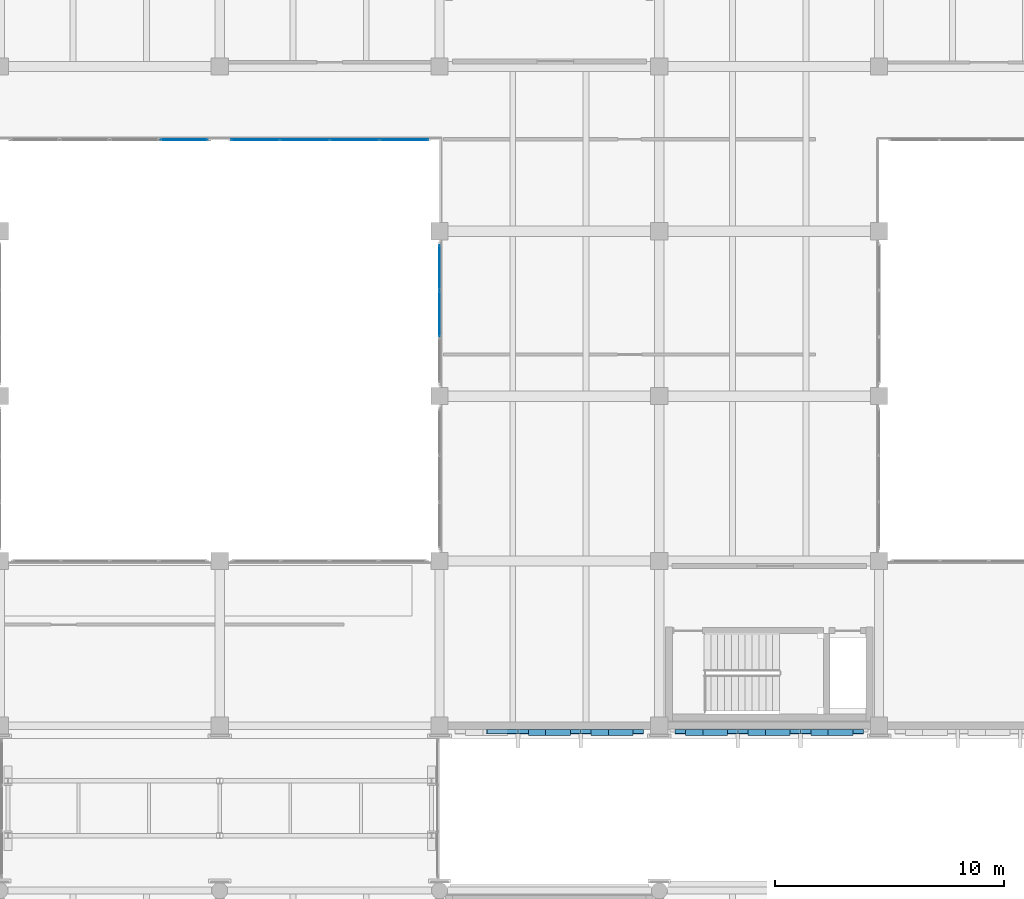
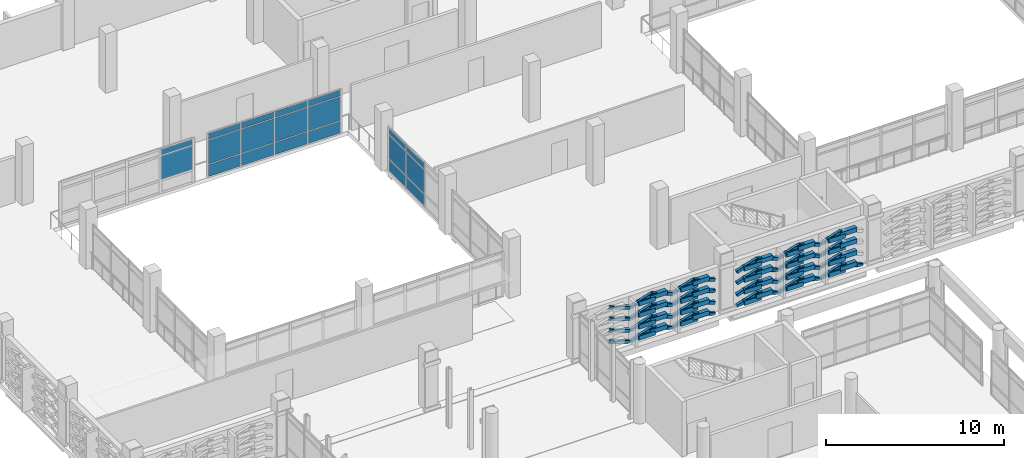
# One storey, part 132 of 180: 101 plates, 3 elements without a shape of their own.
"""IFC4 building model written with IfcOpenShell, lengths in metres."""

from ifc_helpers import new_model, si_unit, direction, frame, origin, origin_2d, place, context, subcontext, project, spatial, rectangle, hollow_rectangle, extrude, material, layer, layer_set, material_profile, profile_set, type_object, element, aggregate, save


model = new_model("IFC4")

# Units and contexts
model_context = context("Model", 3, precision=1e-05, world=origin(), true_north=direction((0.0, 1.0)))
body_context = subcontext(model_context, "Body", "Model", "MODEL_VIEW")
ifc_project = project(units=[si_unit("LENGTHUNIT", "METRE"), si_unit("AREAUNIT", "SQUARE_METRE"), si_unit("VOLUMEUNIT", "CUBIC_METRE"), si_unit("PLANEANGLEUNIT", "RADIAN"), si_unit("MASSUNIT", "GRAM", prefix="KILO")], contexts=[model_context])

# Site, building, storey
site_placement = place(None, origin())
site = spatial("IfcSite", under=ifc_project, at=site_placement, CompositionType="ELEMENT")
building_placement = place(site_placement, origin())
building = spatial("IfcBuilding", under=site, at=building_placement, Name="Asteropetra Specialist Clinic", CompositionType="ELEMENT")
storey_placement = place(building_placement, frame((0.0, 0.0, 4.419921875)))
storey = spatial("IfcBuildingStorey", under=building, at=storey_placement, Name="L01", CompositionType="ELEMENT", Elevation=4.419921875)

# Plates
ifc_material_1 = material(Name="Chevron emerald aluminium 6063-T6", Category="aluminium")
ifc_material_profile = material_profile(ifc_material_1, hollow_rectangle(XDim=0.199951171875, YDim=0.199951171875, WallThickness=0.010009765625, InnerFilletRadius=0.008056640625, OuterFilletRadius=0.01611328125, at=origin_2d()), Name="SHS 200x200x10.0")
ifc_profile_set = profile_set([ifc_material_profile], Name="Chevron emerald aluminium 6063-T6")
plate_type_1 = type_object("IfcPlateType", Name="CHV-RIB-200", PredefinedType="SHEET", material=ifc_profile_set)
for number, where, z_axis, x_axis, name in (
    (1, (30.86328125, 69.347900390625, 0.4814453125), (0.95244216645, 0.0, -0.304719411211), (0.0, 1.0, 0.0), "Chevron Facade Screen Fin CVR-0444"),
    (2, (30.86328125, 69.347900390625, 1.25146484375), (0.95244216645, 0.0, -0.304719411211), (0.0, 1.0, 0.0), "Chevron Facade Screen Fin CVR-0446"),
    (3, (30.86328125, 69.347900390625, 2.051513671875), (0.95244216645, 0.0, -0.304719411211), (0.0, 1.0, 0.0), "Chevron Facade Screen Fin CVR-0448"),
    (4, (30.86328125, 69.347900390625, 2.83154296875), (0.95244216645, 0.0, -0.304719411211), (0.0, 1.0, 0.0), "Chevron Facade Screen Fin CVR-0450"),
    (5, (32.251708984375, 69.347900390625, 0.050048828125), (0.95244216645, 0.0, 0.304719411211), (0.0, 1.0, 0.0), "Chevron Facade Screen Fin CVR-0451"),
):
    element("IfcPlate", number, at=place(storey_placement, frame(where, z_axis=z_axis, x_axis=x_axis)), inside=storey, type_object=plate_type_1, Name=name, PredefinedType="SHEET", context=body_context, shape_type="SweptSolid", body=[
        extrude(hollow_rectangle(XDim=0.199951171875, YDim=0.199951171875, WallThickness=0.010009765625, InnerFilletRadius=0.008056640625, OuterFilletRadius=0.01611328125, at=origin_2d()), origin(), (0.0, 0.0, 1.0), 1.415771484375),
    ])
plate_1_placement = place(storey_placement, frame((33.60009765625, 69.347900390625, 0.4814453125), z_axis=(0.952426149832, 0.0, -0.304769468807), x_axis=(0.0, 1.0, 0.0)))
element("IfcPlate", 6, at=plate_1_placement, inside=storey, type_object=plate_type_1, Name="Chevron Facade Screen Fin CVR-0452", PredefinedType="SHEET", context=body_context, shape_type="SweptSolid", body=[
    extrude(hollow_rectangle(XDim=0.199951171875, YDim=0.199951171875, WallThickness=0.010009765625, InnerFilletRadius=0.008056640625, OuterFilletRadius=0.01611328125, at=origin_2d()), origin(), (0.0, 0.0, 1.0), 1.41552734375),
])
plate_2_placement = place(storey_placement, frame((32.251708984375, 69.347900390625, 0.820068359375), z_axis=(0.95244216645, 0.0, 0.304719411211), x_axis=(0.0, 1.0, 0.0)))
element("IfcPlate", 7, at=plate_2_placement, inside=storey, type_object=plate_type_1, Name="Chevron Facade Screen Fin CVR-0453", PredefinedType="SHEET", context=body_context, shape_type="SweptSolid", body=[
    extrude(hollow_rectangle(XDim=0.199951171875, YDim=0.199951171875, WallThickness=0.010009765625, InnerFilletRadius=0.008056640625, OuterFilletRadius=0.01611328125, at=origin_2d()), origin(), (0.0, 0.0, 1.0), 1.415771484375),
])
plate_3_placement = place(storey_placement, frame((33.60009765625, 69.347900390625, 1.25146484375), z_axis=(0.952426149832, 0.0, -0.304769468807), x_axis=(0.0, 1.0, 0.0)))
element("IfcPlate", 8, at=plate_3_placement, inside=storey, type_object=plate_type_1, Name="Chevron Facade Screen Fin CVR-0454", PredefinedType="SHEET", context=body_context, shape_type="SweptSolid", body=[
    extrude(hollow_rectangle(XDim=0.199951171875, YDim=0.199951171875, WallThickness=0.010009765625, InnerFilletRadius=0.008056640625, OuterFilletRadius=0.01611328125, at=origin_2d()), origin(), (0.0, 0.0, 1.0), 1.41552734375),
])
plate_4_placement = place(storey_placement, frame((32.251708984375, 69.347900390625, 1.6201171875), z_axis=(0.95244216645, 0.0, 0.304719411211), x_axis=(0.0, 1.0, 0.0)))
element("IfcPlate", 9, at=plate_4_placement, inside=storey, type_object=plate_type_1, Name="Chevron Facade Screen Fin CVR-0455", PredefinedType="SHEET", context=body_context, shape_type="SweptSolid", body=[
    extrude(hollow_rectangle(XDim=0.199951171875, YDim=0.199951171875, WallThickness=0.010009765625, InnerFilletRadius=0.008056640625, OuterFilletRadius=0.01611328125, at=origin_2d()), origin(), (0.0, 0.0, 1.0), 1.415771484375),
])
plate_5_placement = place(storey_placement, frame((33.60009765625, 69.347900390625, 2.051513671875), z_axis=(0.952426149832, 0.0, -0.304769468807), x_axis=(0.0, 1.0, 0.0)))
element("IfcPlate", 10, at=plate_5_placement, inside=storey, type_object=plate_type_1, Name="Chevron Facade Screen Fin CVR-0456", PredefinedType="SHEET", context=body_context, shape_type="SweptSolid", body=[
    extrude(hollow_rectangle(XDim=0.199951171875, YDim=0.199951171875, WallThickness=0.010009765625, InnerFilletRadius=0.008056640625, OuterFilletRadius=0.01611328125, at=origin_2d()), origin(), (0.0, 0.0, 1.0), 1.41552734375),
])
plate_6_placement = place(storey_placement, frame((32.251708984375, 69.347900390625, 2.400146484375), z_axis=(0.95244216645, 0.0, 0.304719411211), x_axis=(0.0, 1.0, 0.0)))
element("IfcPlate", 11, at=plate_6_placement, inside=storey, type_object=plate_type_1, Name="Chevron Facade Screen Fin CVR-0457", PredefinedType="SHEET", context=body_context, shape_type="SweptSolid", body=[
    extrude(hollow_rectangle(XDim=0.199951171875, YDim=0.199951171875, WallThickness=0.010009765625, InnerFilletRadius=0.008056640625, OuterFilletRadius=0.01611328125, at=origin_2d()), origin(), (0.0, 0.0, 1.0), 1.415771484375),
])
plate_7_placement = place(storey_placement, frame((33.60009765625, 69.347900390625, 2.83154296875), z_axis=(0.952426149832, 0.0, -0.304769468807), x_axis=(0.0, 1.0, 0.0)))
element("IfcPlate", 12, at=plate_7_placement, inside=storey, type_object=plate_type_1, Name="Chevron Facade Screen Fin CVR-0458", PredefinedType="SHEET", context=body_context, shape_type="SweptSolid", body=[
    extrude(hollow_rectangle(XDim=0.199951171875, YDim=0.199951171875, WallThickness=0.010009765625, InnerFilletRadius=0.008056640625, OuterFilletRadius=0.01611328125, at=origin_2d()), origin(), (0.0, 0.0, 1.0), 1.41552734375),
])
for number, where, z_axis, x_axis, name in (
    (13, (34.98828125, 69.347900390625, 0.050048828125), (0.95244216645, 0.0, 0.304719411211), (0.0, 1.0, 0.0), "Chevron Facade Screen Fin CVR-0459"),
    (14, (36.336669921875, 69.347900390625, 0.4814453125), (0.95244216645, 0.0, -0.304719411211), (0.0, 1.0, 0.0), "Chevron Facade Screen Fin CVR-0460"),
    (15, (34.98828125, 69.347900390625, 0.820068359375), (0.95244216645, 0.0, 0.304719411211), (0.0, 1.0, 0.0), "Chevron Facade Screen Fin CVR-0461"),
    (16, (36.336669921875, 69.347900390625, 1.25146484375), (0.95244216645, 0.0, -0.304719411211), (0.0, 1.0, 0.0), "Chevron Facade Screen Fin CVR-0462"),
    (17, (34.98828125, 69.347900390625, 1.6201171875), (0.95244216645, 0.0, 0.304719411211), (0.0, 1.0, 0.0), "Chevron Facade Screen Fin CVR-0463"),
    (18, (36.336669921875, 69.347900390625, 2.051513671875), (0.95244216645, 0.0, -0.304719411211), (0.0, 1.0, 0.0), "Chevron Facade Screen Fin CVR-0464"),
    (19, (34.98828125, 69.347900390625, 2.400146484375), (0.95244216645, 0.0, 0.304719411211), (0.0, 1.0, 0.0), "Chevron Facade Screen Fin CVR-0465"),
    (20, (36.336669921875, 69.347900390625, 2.83154296875), (0.95244216645, 0.0, -0.304719411211), (0.0, 1.0, 0.0), "Chevron Facade Screen Fin CVR-0466"),
    (21, (39.114990234375, 69.347900390625, 0.050048828125), (0.95244216645, 0.0, 0.304719411211), (0.0, 1.0, 0.0), "Chevron Facade Screen Fin CVR-0483"),
    (22, (40.46337890625, 69.347900390625, 0.4814453125), (0.95244216645, 0.0, -0.304719411211), (0.0, 1.0, 0.0), "Chevron Facade Screen Fin CVR-0484"),
    (23, (39.114990234375, 69.347900390625, 0.820068359375), (0.95244216645, 0.0, 0.304719411211), (0.0, 1.0, 0.0), "Chevron Facade Screen Fin CVR-0485"),
    (24, (40.46337890625, 69.347900390625, 1.25146484375), (0.95244216645, 0.0, -0.304719411211), (0.0, 1.0, 0.0), "Chevron Facade Screen Fin CVR-0486"),
    (25, (39.114990234375, 69.347900390625, 1.6201171875), (0.95244216645, 0.0, 0.304719411211), (0.0, 1.0, 0.0), "Chevron Facade Screen Fin CVR-0487"),
    (26, (40.46337890625, 69.347900390625, 2.051513671875), (0.95244216645, 0.0, -0.304719411211), (0.0, 1.0, 0.0), "Chevron Facade Screen Fin CVR-0488"),
    (27, (39.114990234375, 69.347900390625, 2.400146484375), (0.95244216645, 0.0, 0.304719411211), (0.0, 1.0, 0.0), "Chevron Facade Screen Fin CVR-0489"),
    (28, (40.46337890625, 69.347900390625, 2.83154296875), (0.95244216645, 0.0, -0.304719411211), (0.0, 1.0, 0.0), "Chevron Facade Screen Fin CVR-0490"),
):
    element("IfcPlate", number, at=place(storey_placement, frame(where, z_axis=z_axis, x_axis=x_axis)), inside=storey, type_object=plate_type_1, Name=name, PredefinedType="SHEET", context=body_context, shape_type="SweptSolid", body=[
        extrude(hollow_rectangle(XDim=0.199951171875, YDim=0.199951171875, WallThickness=0.010009765625, InnerFilletRadius=0.008056640625, OuterFilletRadius=0.01611328125, at=origin_2d()), origin(), (0.0, 0.0, 1.0), 1.415771484375),
    ])
plate_8_placement = place(storey_placement, frame((41.851806640625, 69.347900390625, 0.050048828125), z_axis=(0.952426149832, 0.0, 0.304769468807), x_axis=(0.0, 1.0, 0.0)))
element("IfcPlate", 29, at=plate_8_placement, inside=storey, type_object=plate_type_1, Name="Chevron Facade Screen Fin CVR-0491", PredefinedType="SHEET", context=body_context, shape_type="SweptSolid", body=[
    extrude(hollow_rectangle(XDim=0.199951171875, YDim=0.199951171875, WallThickness=0.010009765625, InnerFilletRadius=0.008056640625, OuterFilletRadius=0.01611328125, at=origin_2d()), origin(), (0.0, 0.0, 1.0), 1.41552734375),
])
plate_9_placement = place(storey_placement, frame((43.199951171875, 69.347900390625, 0.4814453125), z_axis=(0.95244216645, 0.0, -0.304719411211), x_axis=(0.0, 1.0, 0.0)))
element("IfcPlate", 30, at=plate_9_placement, inside=storey, type_object=plate_type_1, Name="Chevron Facade Screen Fin CVR-0492", PredefinedType="SHEET", context=body_context, shape_type="SweptSolid", body=[
    extrude(hollow_rectangle(XDim=0.199951171875, YDim=0.199951171875, WallThickness=0.010009765625, InnerFilletRadius=0.008056640625, OuterFilletRadius=0.01611328125, at=origin_2d()), origin(), (0.0, 0.0, 1.0), 1.415771484375),
])
plate_10_placement = place(storey_placement, frame((41.851806640625, 69.347900390625, 0.820068359375), z_axis=(0.952426149832, 0.0, 0.304769468807), x_axis=(0.0, 1.0, 0.0)))
element("IfcPlate", 31, at=plate_10_placement, inside=storey, type_object=plate_type_1, Name="Chevron Facade Screen Fin CVR-0493", PredefinedType="SHEET", context=body_context, shape_type="SweptSolid", body=[
    extrude(hollow_rectangle(XDim=0.199951171875, YDim=0.199951171875, WallThickness=0.010009765625, InnerFilletRadius=0.008056640625, OuterFilletRadius=0.01611328125, at=origin_2d()), origin(), (0.0, 0.0, 1.0), 1.41552734375),
])
plate_11_placement = place(storey_placement, frame((43.199951171875, 69.347900390625, 1.25146484375), z_axis=(0.95244216645, 0.0, -0.304719411211), x_axis=(0.0, 1.0, 0.0)))
element("IfcPlate", 32, at=plate_11_placement, inside=storey, type_object=plate_type_1, Name="Chevron Facade Screen Fin CVR-0494", PredefinedType="SHEET", context=body_context, shape_type="SweptSolid", body=[
    extrude(hollow_rectangle(XDim=0.199951171875, YDim=0.199951171875, WallThickness=0.010009765625, InnerFilletRadius=0.008056640625, OuterFilletRadius=0.01611328125, at=origin_2d()), origin(), (0.0, 0.0, 1.0), 1.415771484375),
])
plate_12_placement = place(storey_placement, frame((41.851806640625, 69.347900390625, 1.6201171875), z_axis=(0.952426149832, 0.0, 0.304769468807), x_axis=(0.0, 1.0, 0.0)))
element("IfcPlate", 33, at=plate_12_placement, inside=storey, type_object=plate_type_1, Name="Chevron Facade Screen Fin CVR-0495", PredefinedType="SHEET", context=body_context, shape_type="SweptSolid", body=[
    extrude(hollow_rectangle(XDim=0.199951171875, YDim=0.199951171875, WallThickness=0.010009765625, InnerFilletRadius=0.008056640625, OuterFilletRadius=0.01611328125, at=origin_2d()), origin(), (0.0, 0.0, 1.0), 1.41552734375),
])
plate_13_placement = place(storey_placement, frame((43.199951171875, 69.347900390625, 2.051513671875), z_axis=(0.95244216645, 0.0, -0.304719411211), x_axis=(0.0, 1.0, 0.0)))
element("IfcPlate", 34, at=plate_13_placement, inside=storey, type_object=plate_type_1, Name="Chevron Facade Screen Fin CVR-0496", PredefinedType="SHEET", context=body_context, shape_type="SweptSolid", body=[
    extrude(hollow_rectangle(XDim=0.199951171875, YDim=0.199951171875, WallThickness=0.010009765625, InnerFilletRadius=0.008056640625, OuterFilletRadius=0.01611328125, at=origin_2d()), origin(), (0.0, 0.0, 1.0), 1.415771484375),
])
plate_14_placement = place(storey_placement, frame((41.851806640625, 69.347900390625, 2.400146484375), z_axis=(0.952426149832, 0.0, 0.304769468807), x_axis=(0.0, 1.0, 0.0)))
element("IfcPlate", 35, at=plate_14_placement, inside=storey, type_object=plate_type_1, Name="Chevron Facade Screen Fin CVR-0497", PredefinedType="SHEET", context=body_context, shape_type="SweptSolid", body=[
    extrude(hollow_rectangle(XDim=0.199951171875, YDim=0.199951171875, WallThickness=0.010009765625, InnerFilletRadius=0.008056640625, OuterFilletRadius=0.01611328125, at=origin_2d()), origin(), (0.0, 0.0, 1.0), 1.41552734375),
])
for number, where, z_axis, x_axis, name in (
    (36, (43.199951171875, 69.347900390625, 2.83154296875), (0.95244216645, 0.0, -0.304719411211), (0.0, 1.0, 0.0), "Chevron Facade Screen Fin CVR-0498"),
    (37, (44.58837890625, 69.347900390625, 0.050048828125), (0.95244216645, 0.0, 0.304719411211), (0.0, 1.0, 0.0), "Chevron Facade Screen Fin CVR-0499"),
):
    element("IfcPlate", number, at=place(storey_placement, frame(where, z_axis=z_axis, x_axis=x_axis)), inside=storey, type_object=plate_type_1, Name=name, PredefinedType="SHEET", context=body_context, shape_type="SweptSolid", body=[
        extrude(hollow_rectangle(XDim=0.199951171875, YDim=0.199951171875, WallThickness=0.010009765625, InnerFilletRadius=0.008056640625, OuterFilletRadius=0.01611328125, at=origin_2d()), origin(), (0.0, 0.0, 1.0), 1.415771484375),
    ])
plate_15_placement = place(storey_placement, frame((45.936767578125, 69.347900390625, 0.4814453125), z_axis=(0.952426149832, 0.0, -0.304769468807), x_axis=(0.0, 1.0, 0.0)))
element("IfcPlate", 38, at=plate_15_placement, inside=storey, type_object=plate_type_1, Name="Chevron Facade Screen Fin CVR-0500", PredefinedType="SHEET", context=body_context, shape_type="SweptSolid", body=[
    extrude(hollow_rectangle(XDim=0.199951171875, YDim=0.199951171875, WallThickness=0.010009765625, InnerFilletRadius=0.008056640625, OuterFilletRadius=0.01611328125, at=origin_2d()), origin(), (0.0, 0.0, 1.0), 1.41552734375),
])
for number, where, z_axis, x_axis, name in (
    (39, (44.58837890625, 69.347900390625, 0.820068359375), (0.95244216645, 0.0, 0.304719411211), (0.0, 1.0, 0.0), "Chevron Facade Screen Fin CVR-0501"),
    (40, (44.58837890625, 69.347900390625, 1.6201171875), (0.95244216645, 0.0, 0.304719411211), (0.0, 1.0, 0.0), "Chevron Facade Screen Fin CVR-0503"),
    (41, (44.58837890625, 69.347900390625, 2.400146484375), (0.95244216645, 0.0, 0.304719411211), (0.0, 1.0, 0.0), "Chevron Facade Screen Fin CVR-0505"),
):
    element("IfcPlate", number, at=place(storey_placement, frame(where, z_axis=z_axis, x_axis=x_axis)), inside=storey, type_object=plate_type_1, Name=name, PredefinedType="SHEET", context=body_context, shape_type="SweptSolid", body=[
        extrude(hollow_rectangle(XDim=0.199951171875, YDim=0.199951171875, WallThickness=0.010009765625, InnerFilletRadius=0.008056640625, OuterFilletRadius=0.01611328125, at=origin_2d()), origin(), (0.0, 0.0, 1.0), 1.415771484375),
    ])

# Curtain wall, plates
ifc_material_2 = material(Name="Aluminium and low-E glass", Category="aluminium")
ifc_layer_1 = layer(ifc_material_2, 0.179931640625)
ifc_layer_set_1 = layer_set([ifc_layer_1], Name="Aluminium and low-E glass")
curtain_wall_type_1 = type_object("IfcCurtainWallType", Name="CW-SYS-04", PredefinedType="USERDEFINED", material=ifc_layer_set_1)
curtain_wall_1_placement = place(storey_placement, origin())
curtain_wall_1 = element("IfcCurtainWall", 42, at=curtain_wall_1_placement, inside=storey, type_object=curtain_wall_type_1, Name="Curtain Wall CW-020", ObjectType="UNITISED CURTAIN WALL", PredefinedType="USERDEFINED")
ifc_material_3 = material(Name="Low-E double glazing", Category="glass")
ifc_layer_2 = layer(ifc_material_3, 0.028076171875)
ifc_layer_set_2 = layer_set([ifc_layer_2], Name="Low-E double glazing")
plate_type_2 = type_object("IfcPlateType", Name="CWP-GLZ-28", PredefinedType="CURTAIN_PANEL", material=ifc_layer_set_2)
plate_16_placement = place(storey_placement, frame((27.2548828125, 95.199951171875, 0.06005859375), z_axis=(0.0, 0.0, 1.0), x_axis=(-1.0, 0.0, 0.0)))
plate_16 = element("IfcPlate", 43, at=plate_16_placement, type_object=plate_type_2, Name="CW-020 panel 1.1", PredefinedType="CURTAIN_PANEL", context=body_context, shape_type="SweptSolid", body=[
    extrude(rectangle(XDim=2.090087890625, YDim=0.028076171875, at=origin_2d()), origin(), (0.0, 0.0, 1.0), 0.81005859375),
])
plate_17_placement = place(storey_placement, frame((27.2548828125, 95.199951171875, 0.929931640625), z_axis=(0.0, 0.0, 1.0), x_axis=(-1.0, 0.0, 0.0)))
plate_17 = element("IfcPlate", 44, at=plate_17_placement, type_object=plate_type_2, Name="CW-020 panel 1.2", PredefinedType="CURTAIN_PANEL", context=body_context, shape_type="SweptSolid", body=[
    extrude(rectangle(XDim=2.090087890625, YDim=0.028076171875, at=origin_2d()), origin(), (0.0, 0.0, 1.0), 1.6201171875),
])
plate_18_placement = place(storey_placement, frame((27.2548828125, 95.199951171875, 2.6103515625), z_axis=(0.0, 0.0, 1.0), x_axis=(-1.0, 0.0, 0.0)))
plate_18 = element("IfcPlate", 45, at=plate_18_placement, type_object=plate_type_2, Name="CW-020 panel 1.3", PredefinedType="CURTAIN_PANEL", context=body_context, shape_type="SweptSolid", body=[
    extrude(rectangle(XDim=2.090087890625, YDim=0.028076171875, at=origin_2d()), origin(), (0.0, 0.0, 1.0), 0.409912109375),
])
plate_19_placement = place(storey_placement, frame((25.090087890625, 95.199951171875, 0.06005859375), z_axis=(0.0, 0.0, 1.0), x_axis=(-1.0, 0.0, 0.0)))
plate_19 = element("IfcPlate", 46, at=plate_19_placement, type_object=plate_type_2, Name="CW-020 panel 2.1", PredefinedType="CURTAIN_PANEL", context=body_context, shape_type="SweptSolid", body=[
    extrude(rectangle(XDim=2.1201171875, YDim=0.028076171875, at=origin_2d()), origin(), (0.0, 0.0, 1.0), 0.81005859375),
])
plate_20_placement = place(storey_placement, frame((25.090087890625, 95.199951171875, 0.929931640625), z_axis=(0.0, 0.0, 1.0), x_axis=(-1.0, 0.0, 0.0)))
plate_20 = element("IfcPlate", 47, at=plate_20_placement, type_object=plate_type_2, Name="CW-020 panel 2.2", PredefinedType="CURTAIN_PANEL", context=body_context, shape_type="SweptSolid", body=[
    extrude(rectangle(XDim=2.1201171875, YDim=0.028076171875, at=origin_2d()), origin(), (0.0, 0.0, 1.0), 1.6201171875),
])
plate_21_placement = place(storey_placement, frame((25.090087890625, 95.199951171875, 2.6103515625), z_axis=(0.0, 0.0, 1.0), x_axis=(-1.0, 0.0, 0.0)))
plate_21 = element("IfcPlate", 48, at=plate_21_placement, type_object=plate_type_2, Name="CW-020 panel 2.3", PredefinedType="CURTAIN_PANEL", context=body_context, shape_type="SweptSolid", body=[
    extrude(rectangle(XDim=2.1201171875, YDim=0.028076171875, at=origin_2d()), origin(), (0.0, 0.0, 1.0), 0.409912109375),
])
plate_22_placement = place(storey_placement, frame((22.909912109375, 95.199951171875, 0.06005859375), z_axis=(0.0, 0.0, 1.0), x_axis=(-1.0, 0.0, 0.0)))
plate_22 = element("IfcPlate", 49, at=plate_22_placement, type_object=plate_type_2, Name="CW-020 panel 3.1", PredefinedType="CURTAIN_PANEL", context=body_context, shape_type="SweptSolid", body=[
    extrude(rectangle(XDim=2.1201171875, YDim=0.028076171875, at=origin_2d()), origin(), (0.0, 0.0, 1.0), 0.81005859375),
])
plate_23_placement = place(storey_placement, frame((22.909912109375, 95.199951171875, 0.929931640625), z_axis=(0.0, 0.0, 1.0), x_axis=(-1.0, 0.0, 0.0)))
plate_23 = element("IfcPlate", 50, at=plate_23_placement, type_object=plate_type_2, Name="CW-020 panel 3.2", PredefinedType="CURTAIN_PANEL", context=body_context, shape_type="SweptSolid", body=[
    extrude(rectangle(XDim=2.1201171875, YDim=0.028076171875, at=origin_2d()), origin(), (0.0, 0.0, 1.0), 1.6201171875),
])
plate_24_placement = place(storey_placement, frame((22.909912109375, 95.199951171875, 2.6103515625), z_axis=(0.0, 0.0, 1.0), x_axis=(-1.0, 0.0, 0.0)))
plate_24 = element("IfcPlate", 51, at=plate_24_placement, type_object=plate_type_2, Name="CW-020 panel 3.3", PredefinedType="CURTAIN_PANEL", context=body_context, shape_type="SweptSolid", body=[
    extrude(rectangle(XDim=2.1201171875, YDim=0.028076171875, at=origin_2d()), origin(), (0.0, 0.0, 1.0), 0.409912109375),
])
plate_25_placement = place(storey_placement, frame((20.7451171875, 95.199951171875, 0.06005859375), z_axis=(0.0, 0.0, 1.0), x_axis=(-1.0, 0.0, 0.0)))
plate_25 = element("IfcPlate", 52, at=plate_25_placement, type_object=plate_type_2, Name="CW-020 panel 4.1", PredefinedType="CURTAIN_PANEL", context=body_context, shape_type="SweptSolid", body=[
    extrude(rectangle(XDim=2.090087890625, YDim=0.028076171875, at=origin_2d()), origin(), (0.0, 0.0, 1.0), 0.81005859375),
])
plate_26_placement = place(storey_placement, frame((20.7451171875, 95.199951171875, 0.929931640625), z_axis=(0.0, 0.0, 1.0), x_axis=(-1.0, 0.0, 0.0)))
plate_26 = element("IfcPlate", 53, at=plate_26_placement, type_object=plate_type_2, Name="CW-020 panel 4.2", PredefinedType="CURTAIN_PANEL", context=body_context, shape_type="SweptSolid", body=[
    extrude(rectangle(XDim=2.090087890625, YDim=0.028076171875, at=origin_2d()), origin(), (0.0, 0.0, 1.0), 1.6201171875),
])
plate_27_placement = place(storey_placement, frame((20.7451171875, 95.199951171875, 2.6103515625), z_axis=(0.0, 0.0, 1.0), x_axis=(-1.0, 0.0, 0.0)))
plate_27 = element("IfcPlate", 54, at=plate_27_placement, type_object=plate_type_2, Name="CW-020 panel 4.3", PredefinedType="CURTAIN_PANEL", context=body_context, shape_type="SweptSolid", body=[
    extrude(rectangle(XDim=2.090087890625, YDim=0.028076171875, at=origin_2d()), origin(), (0.0, 0.0, 1.0), 0.409912109375),
])
aggregate(curtain_wall_1, [plate_16, plate_17, plate_18, plate_19, plate_20, plate_21, plate_22, plate_23, plate_24, plate_25, plate_26, plate_27])

ifc_material_4 = material(Name="Aluminium and low-E glass", Category="aluminium")
ifc_layer_3 = layer(ifc_material_4, 0.135009765625)
ifc_layer_set_3 = layer_set([ifc_layer_3], Name="Aluminium and low-E glass")
curtain_wall_type_2 = type_object("IfcCurtainWallType", Name="CW-SYS-06", PredefinedType="USERDEFINED", material=ifc_layer_set_3)
curtain_wall_2_placement = place(storey_placement, origin())
curtain_wall_2 = element("IfcCurtainWall", 55, at=curtain_wall_2_placement, inside=storey, type_object=curtain_wall_type_2, Name="Curtain Wall CW-024", ObjectType="UNITISED CURTAIN WALL", PredefinedType="USERDEFINED")
plate_28_placement = place(storey_placement, frame((28.800048828125, 87.60009765625, 0.074951171875), z_axis=(0.0, 0.0, 1.0), x_axis=(0.0, 1.0, 0.0)))
plate_28 = element("IfcPlate", 56, at=plate_28_placement, type_object=plate_type_2, Name="CW-024 panel 2.1", PredefinedType="CURTAIN_PANEL", context=body_context, shape_type="SweptSolid", body=[
    extrude(rectangle(XDim=1.96826171875, YDim=0.028076171875, at=origin_2d()), origin(), (0.0, 0.0, 1.0), 0.78759765625),
])
plate_29_placement = place(storey_placement, frame((28.800048828125, 87.60009765625, 0.9375), z_axis=(0.0, 0.0, 1.0), x_axis=(0.0, 1.0, 0.0)))
plate_29 = element("IfcPlate", 57, at=plate_29_placement, type_object=plate_type_2, Name="CW-024 panel 2.2", PredefinedType="CURTAIN_PANEL", context=body_context, shape_type="SweptSolid", body=[
    extrude(rectangle(XDim=1.96826171875, YDim=0.028076171875, at=origin_2d()), origin(), (0.0, 0.0, 1.0), 1.60498046875),
])
plate_30_placement = place(storey_placement, frame((28.800048828125, 87.60009765625, 2.61767578125), z_axis=(0.0, 0.0, 1.0), x_axis=(0.0, 1.0, 0.0)))
plate_30 = element("IfcPlate", 58, at=plate_30_placement, type_object=plate_type_2, Name="CW-024 panel 2.3", PredefinedType="CURTAIN_PANEL", context=body_context, shape_type="SweptSolid", body=[
    extrude(rectangle(XDim=1.96826171875, YDim=0.028076171875, at=origin_2d()), origin(), (0.0, 0.0, 1.0), 0.387451171875),
])
plate_31_placement = place(storey_placement, frame((28.800048828125, 89.62451171875, 0.074951171875), z_axis=(0.0, 0.0, 1.0), x_axis=(0.0, 1.0, 0.0)))
plate_31 = element("IfcPlate", 59, at=plate_31_placement, type_object=plate_type_2, Name="CW-024 panel 3.1", PredefinedType="CURTAIN_PANEL", context=body_context, shape_type="SweptSolid", body=[
    extrude(rectangle(XDim=1.930908203125, YDim=0.028076171875, at=origin_2d()), origin(), (0.0, 0.0, 1.0), 0.78759765625),
])
plate_32_placement = place(storey_placement, frame((28.800048828125, 89.62451171875, 0.9375), z_axis=(0.0, 0.0, 1.0), x_axis=(0.0, 1.0, 0.0)))
plate_32 = element("IfcPlate", 60, at=plate_32_placement, type_object=plate_type_2, Name="CW-024 panel 3.2", PredefinedType="CURTAIN_PANEL", context=body_context, shape_type="SweptSolid", body=[
    extrude(rectangle(XDim=1.930908203125, YDim=0.028076171875, at=origin_2d()), origin(), (0.0, 0.0, 1.0), 1.60498046875),
])
plate_33_placement = place(storey_placement, frame((28.800048828125, 89.62451171875, 2.61767578125), z_axis=(0.0, 0.0, 1.0), x_axis=(0.0, 1.0, 0.0)))
plate_33 = element("IfcPlate", 61, at=plate_33_placement, type_object=plate_type_2, Name="CW-024 panel 3.3", PredefinedType="CURTAIN_PANEL", context=body_context, shape_type="SweptSolid", body=[
    extrude(rectangle(XDim=1.930908203125, YDim=0.028076171875, at=origin_2d()), origin(), (0.0, 0.0, 1.0), 0.387451171875),
])
aggregate(curtain_wall_2, [plate_28, plate_29, plate_30, plate_31, plate_32, plate_33])

ifc_material_5 = material(Name="Aluminium and low-E glass", Category="aluminium")
ifc_layer_4 = layer(ifc_material_5, 0.135009765625)
ifc_layer_set_4 = layer_set([ifc_layer_4], Name="Aluminium and low-E glass")
curtain_wall_type_3 = type_object("IfcCurtainWallType", Name="CW-SYS-03", PredefinedType="USERDEFINED", material=ifc_layer_set_4)
curtain_wall_3_placement = place(storey_placement, origin())
curtain_wall_3 = element("IfcCurtainWall", 62, at=curtain_wall_3_placement, inside=storey, type_object=curtain_wall_type_3, Name="Curtain Wall CW-018", ObjectType="UNITISED CURTAIN WALL", PredefinedType="USERDEFINED")
ifc_material_6 = material(Name="Solar-control triple glazing", Category="glass")
ifc_layer_5 = layer(ifc_material_6, 0.035888671875)
ifc_layer_set_5 = layer_set([ifc_layer_5], Name="Solar-control triple glazing")
plate_type_3 = type_object("IfcPlateType", Name="CWP-GLZ-36", PredefinedType="CURTAIN_PANEL", material=ifc_layer_set_5)
plate_34_placement = place(storey_placement, frame((17.6513671875, 95.199951171875, 0.9375), z_axis=(0.0, 0.0, 1.0), x_axis=(-1.0, 0.0, 0.0)))
plate_34 = element("IfcPlate", 63, at=plate_34_placement, type_object=plate_type_3, Name="CW-018 panel 1.2", PredefinedType="CURTAIN_PANEL", context=body_context, shape_type="SweptSolid", body=[
    extrude(rectangle(XDim=2.0673828125, YDim=0.035888671875, at=origin_2d()), origin(), (0.0, 0.0, 1.0), 1.60498046875),
])
plate_35_placement = place(storey_placement, frame((17.6513671875, 95.199951171875, 2.61767578125), z_axis=(0.0, 0.0, 1.0), x_axis=(-1.0, 0.0, 0.0)))
plate_35 = element("IfcPlate", 64, at=plate_35_placement, type_object=plate_type_3, Name="CW-018 panel 1.3", PredefinedType="CURTAIN_PANEL", context=body_context, shape_type="SweptSolid", body=[
    extrude(rectangle(XDim=2.0673828125, YDim=0.035888671875, at=origin_2d()), origin(), (0.0, 0.0, 1.0), 0.387451171875),
])
aggregate(curtain_wall_3, [plate_34, plate_35])

# Plates
ifc_material_7 = material(Name="Aluminium 6063-T6", Category="aluminium")
ifc_layer_6 = layer(ifc_material_7, 0.139892578125)
ifc_layer_set_6 = layer_set([ifc_layer_6], Name="Aluminium 6063-T6")
plate_type_4 = type_object("IfcPlateType", Name="PLT-CHV-TILE", PredefinedType="SHEET", material=ifc_layer_set_6)
for number, where, z_axis, x_axis, name in (
    (65, (33.222412109375, 69.31005859375, 0.029296875), (0.0, 0.0, 1.0), (1.0, 0.0, 0.0), "Chevron Ceramic Panel CPT-0089"),
    (66, (33.9775390625, 69.31005859375, 0.193359375), (0.0, 0.0, 1.0), (1.0, 0.0, 0.0), "Chevron Ceramic Panel CPT-0090"),
    (67, (33.222412109375, 69.31005859375, 0.79931640625), (0.0, 0.0, 1.0), (1.0, 0.0, 0.0), "Chevron Ceramic Panel CPT-0091"),
    (68, (33.9775390625, 69.31005859375, 0.96337890625), (0.0, 0.0, 1.0), (1.0, 0.0, 0.0), "Chevron Ceramic Panel CPT-0092"),
    (69, (33.222412109375, 69.31005859375, 1.599609375), (0.0, 0.0, 1.0), (1.0, 0.0, 0.0), "Chevron Ceramic Panel CPT-0093"),
    (70, (33.9775390625, 69.31005859375, 1.763671875), (0.0, 0.0, 1.0), (1.0, 0.0, 0.0), "Chevron Ceramic Panel CPT-0094"),
    (71, (33.222412109375, 69.31005859375, 2.37939453125), (0.0, 0.0, 1.0), (1.0, 0.0, 0.0), "Chevron Ceramic Panel CPT-0095"),
    (72, (33.9775390625, 69.31005859375, 2.54345703125), (0.0, 0.0, 1.0), (1.0, 0.0, 0.0), "Chevron Ceramic Panel CPT-0096"),
    (73, (35.958984375, 69.31005859375, 0.029296875), (0.0, 0.0, 1.0), (1.0, 0.0, 0.0), "Chevron Ceramic Panel CPT-0097"),
    (74, (36.714111328125, 69.31005859375, 0.193359375), (0.0, 0.0, 1.0), (1.0, 0.0, 0.0), "Chevron Ceramic Panel CPT-0098"),
    (75, (35.958984375, 69.31005859375, 0.79931640625), (0.0, 0.0, 1.0), (1.0, 0.0, 0.0), "Chevron Ceramic Panel CPT-0099"),
    (76, (36.714111328125, 69.31005859375, 0.96337890625), (0.0, 0.0, 1.0), (1.0, 0.0, 0.0), "Chevron Ceramic Panel CPT-0100"),
    (77, (35.958984375, 69.31005859375, 1.599609375), (0.0, 0.0, 1.0), (1.0, 0.0, 0.0), "Chevron Ceramic Panel CPT-0101"),
    (78, (36.714111328125, 69.31005859375, 1.763671875), (0.0, 0.0, 1.0), (1.0, 0.0, 0.0), "Chevron Ceramic Panel CPT-0102"),
    (79, (35.958984375, 69.31005859375, 2.37939453125), (0.0, 0.0, 1.0), (1.0, 0.0, 0.0), "Chevron Ceramic Panel CPT-0103"),
    (80, (36.714111328125, 69.31005859375, 2.54345703125), (0.0, 0.0, 1.0), (1.0, 0.0, 0.0), "Chevron Ceramic Panel CPT-0104"),
    (81, (40.085693359375, 69.31005859375, 0.029296875), (0.0, 0.0, 1.0), (1.0, 0.0, 0.0), "Chevron Ceramic Panel CPT-0121"),
    (82, (40.8408203125, 69.31005859375, 0.193359375), (0.0, 0.0, 1.0), (1.0, 0.0, 0.0), "Chevron Ceramic Panel CPT-0122"),
    (83, (40.085693359375, 69.31005859375, 0.79931640625), (0.0, 0.0, 1.0), (1.0, 0.0, 0.0), "Chevron Ceramic Panel CPT-0123"),
    (84, (40.8408203125, 69.31005859375, 0.96337890625), (0.0, 0.0, 1.0), (1.0, 0.0, 0.0), "Chevron Ceramic Panel CPT-0124"),
    (85, (40.085693359375, 69.31005859375, 1.599609375), (0.0, 0.0, 1.0), (1.0, 0.0, 0.0), "Chevron Ceramic Panel CPT-0125"),
    (86, (40.8408203125, 69.31005859375, 1.763671875), (0.0, 0.0, 1.0), (1.0, 0.0, 0.0), "Chevron Ceramic Panel CPT-0126"),
    (87, (40.085693359375, 69.31005859375, 2.37939453125), (0.0, 0.0, 1.0), (1.0, 0.0, 0.0), "Chevron Ceramic Panel CPT-0127"),
    (88, (40.8408203125, 69.31005859375, 2.54345703125), (0.0, 0.0, 1.0), (1.0, 0.0, 0.0), "Chevron Ceramic Panel CPT-0128"),
    (89, (42.822509765625, 69.31005859375, 0.029296875), (0.0, 0.0, 1.0), (1.0, 0.0, 0.0), "Chevron Ceramic Panel CPT-0129"),
    (90, (43.577392578125, 69.31005859375, 0.193359375), (0.0, 0.0, 1.0), (1.0, 0.0, 0.0), "Chevron Ceramic Panel CPT-0130"),
    (91, (42.822509765625, 69.31005859375, 0.79931640625), (0.0, 0.0, 1.0), (1.0, 0.0, 0.0), "Chevron Ceramic Panel CPT-0131"),
    (92, (43.577392578125, 69.31005859375, 0.96337890625), (0.0, 0.0, 1.0), (1.0, 0.0, 0.0), "Chevron Ceramic Panel CPT-0132"),
    (93, (42.822509765625, 69.31005859375, 1.599609375), (0.0, 0.0, 1.0), (1.0, 0.0, 0.0), "Chevron Ceramic Panel CPT-0133"),
    (94, (43.577392578125, 69.31005859375, 1.763671875), (0.0, 0.0, 1.0), (1.0, 0.0, 0.0), "Chevron Ceramic Panel CPT-0134"),
    (95, (42.822509765625, 69.31005859375, 2.37939453125), (0.0, 0.0, 1.0), (1.0, 0.0, 0.0), "Chevron Ceramic Panel CPT-0135"),
    (96, (43.577392578125, 69.31005859375, 2.54345703125), (0.0, 0.0, 1.0), (1.0, 0.0, 0.0), "Chevron Ceramic Panel CPT-0136"),
    (97, (45.55908203125, 69.31005859375, 0.029296875), (0.0, 0.0, 1.0), (1.0, 0.0, 0.0), "Chevron Ceramic Panel CPT-0137"),
    (98, (46.314208984375, 69.31005859375, 0.193359375), (0.0, 0.0, 1.0), (1.0, 0.0, 0.0), "Chevron Ceramic Panel CPT-0138"),
    (99, (45.55908203125, 69.31005859375, 0.79931640625), (0.0, 0.0, 1.0), (1.0, 0.0, 0.0), "Chevron Ceramic Panel CPT-0139"),
    (100, (46.314208984375, 69.31005859375, 0.96337890625), (0.0, 0.0, 1.0), (1.0, 0.0, 0.0), "Chevron Ceramic Panel CPT-0140"),
    (101, (45.55908203125, 69.31005859375, 1.599609375), (0.0, 0.0, 1.0), (1.0, 0.0, 0.0), "Chevron Ceramic Panel CPT-0141"),
    (102, (46.314208984375, 69.31005859375, 1.763671875), (0.0, 0.0, 1.0), (1.0, 0.0, 0.0), "Chevron Ceramic Panel CPT-0142"),
    (103, (45.55908203125, 69.31005859375, 2.37939453125), (0.0, 0.0, 1.0), (1.0, 0.0, 0.0), "Chevron Ceramic Panel CPT-0143"),
    (104, (46.314208984375, 69.31005859375, 2.54345703125), (0.0, 0.0, 1.0), (1.0, 0.0, 0.0), "Chevron Ceramic Panel CPT-0144"),
):
    element("IfcPlate", number, at=place(storey_placement, frame(where, z_axis=z_axis, x_axis=x_axis)), inside=storey, type_object=plate_type_4, Name=name, PredefinedType="SHEET", context=body_context, shape_type="SweptSolid", body=[
        extrude(rectangle(XDim=1.0791015625, YDim=0.280029296875, at=origin_2d()), origin(), (0.0, 0.0, 1.0), 0.300048828125),
    ])

save(model, "model.ifc")
